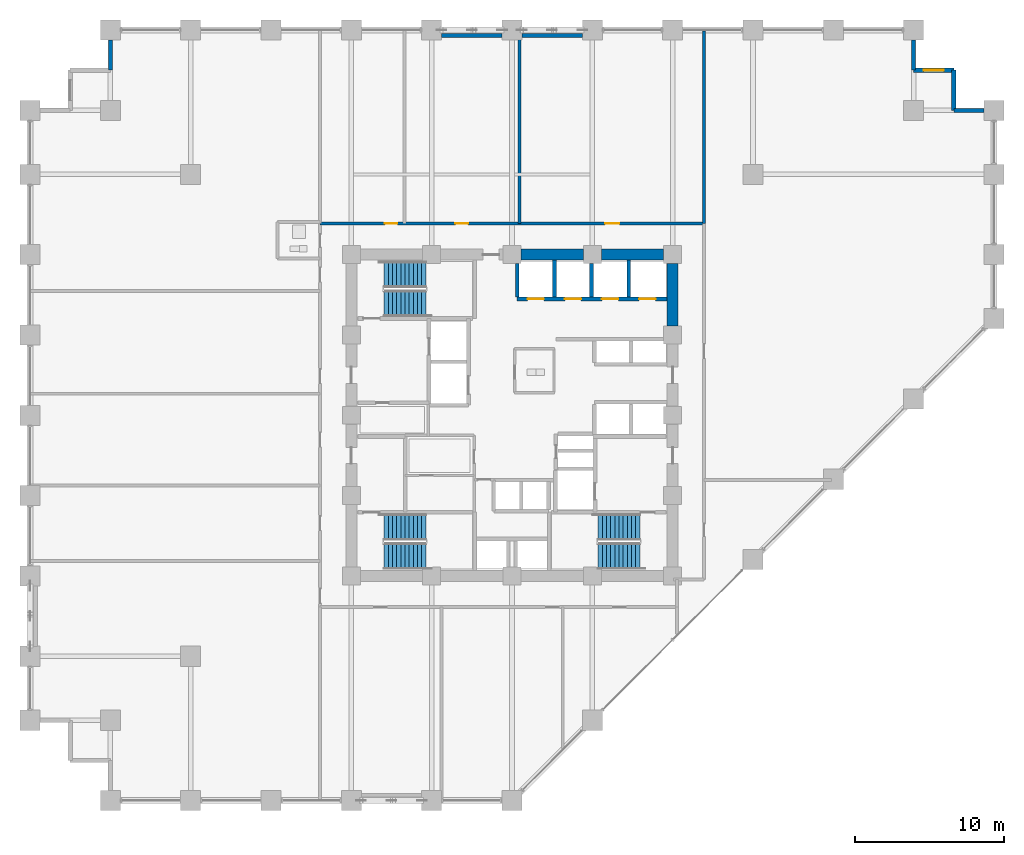
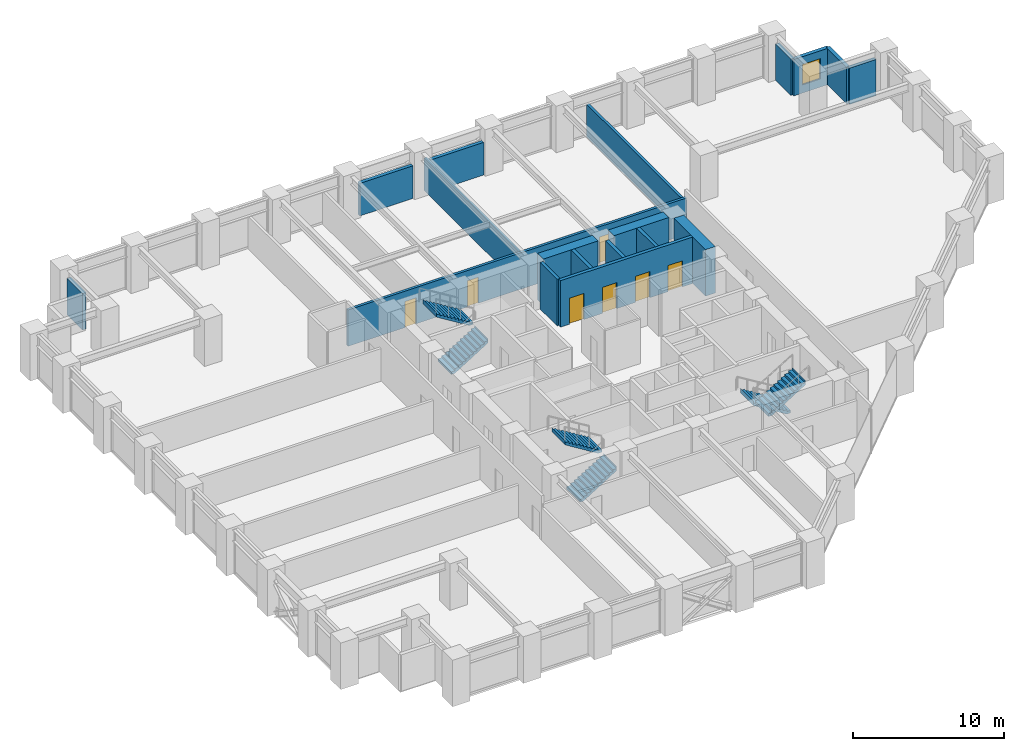
# One storey, part 22 of 24: 18 walls, 7 doors, 6 stair flights, 1 window, 8 openings, 3 elements without a shape of their own.
"""IFC4 building model written with IfcOpenShell, lengths in metres."""

from ifc_helpers import new_model, si_unit, direction, frame, frame_2d, origin, place, context, subcontext, project, spatial, polyline, rectangle, outline, extrude, material, layer, layer_set, type_object, element, fill, aggregate, save


model = new_model("IFC4")

# Units and contexts
model_context = context("Model", 3, precision=1e-05, world=origin(), true_north=direction((0.0, 1.0)))
body_context = subcontext(model_context, "Body", "Model", "MODEL_VIEW")
ifc_project = project(units=[si_unit("LENGTHUNIT", "METRE"), si_unit("AREAUNIT", "SQUARE_METRE"), si_unit("VOLUMEUNIT", "CUBIC_METRE"), si_unit("PLANEANGLEUNIT", "RADIAN"), si_unit("MASSUNIT", "GRAM", prefix="KILO")], contexts=[model_context])

# Site, building, storey
site_placement = place(None, origin())
site = spatial("IfcSite", under=ifc_project, at=site_placement, CompositionType="ELEMENT")
building_placement = place(site_placement, origin())
building = spatial("IfcBuilding", under=site, at=building_placement, Name="Surkhivell Harbour Commons", CompositionType="ELEMENT")
storey_placement = place(building_placement, frame((0.0, 0.0, 30.0)))
storey = spatial("IfcBuildingStorey", under=building, at=storey_placement, Name="L07", CompositionType="ELEMENT", Elevation=30.0)

# Walls
ifc_material_1 = material(Name="Concrete C60/75", Category="concrete")
ifc_layer_1 = layer(ifc_material_1, 0.75)
ifc_layer_set_1 = layer_set([ifc_layer_1], Name="Concrete C60/75")
wall_type_1 = type_object("IfcWallType", Name="WAL-CORE-750", PredefinedType="SHEAR", material=ifc_layer_set_1)
for number, where, z_axis, x_axis, name in (
    (1, (0.610107421875, 10.800048828125, 0.0), (0.0, 0.0, 1.0), (1.0, 0.0, 0.0), "L07 Core Shear Wall North 3"),
    (2, (6.010009765625, 10.800048828125, 0.0), (0.0, 0.0, 1.0), (1.0, 0.0, 0.0), "L07 Core Shear Wall North 4"),
    (3, (10.800048828125, 6.010009765625, 0.0), (0.0, 0.0, 1.0), (0.0, 1.0, 0.0), "L07 Core Shear Wall East 4"),
):
    element("IfcWall", number, at=place(storey_placement, frame(where, z_axis=z_axis, x_axis=x_axis)), inside=storey, type_object=wall_type_1, Name=name, PredefinedType="SHEAR", context=body_context, shape_type="SweptSolid", body=[
        extrude(rectangle(XDim=4.179931640625, YDim=0.75, at=frame_2d((2.08984375, 0.0))), origin(), (0.0, 0.0, 1.0), 3.75),
    ])
ifc_material_2 = material(Name="Pale-metal insulated precast concrete C45/55", Category="concrete")
ifc_layer_2 = layer(ifc_material_2, 0.260009765625)
ifc_layer_set_2 = layer_set([ifc_layer_2], Name="Pale-metal insulated precast concrete C45/55")
wall_type_2 = type_object("IfcWallType", Name="WAL-EXT-MTL260", PredefinedType="STANDARD", material=ifc_layer_set_2)
for number, where, z_axis, x_axis, name in (
    (4, (-0.673095703125, 25.5400390625, 0.0), (0.0, 0.0, 1.0), (-1.0, 0.0, 0.0), "L07 Braced-Bay Insulated Spandrel Backing N"),
    (5, (4.72705078125, 25.5400390625, 0.0), (0.0, 0.0, 1.0), (-1.0, 0.0, 0.0), "L07 Braced-Bay Insulated Spandrel Backing N2"),
):
    element("IfcWall", number, at=place(storey_placement, frame(where, z_axis=z_axis, x_axis=x_axis)), inside=storey, type_object=wall_type_2, Name=name, PredefinedType="STANDARD", context=body_context, shape_type="SweptSolid", body=[
        extrude(rectangle(XDim=4.053955078125, YDim=0.260009765625, at=frame_2d((2.02685546875, 0.0))), origin(), (0.0, 0.0, 1.0), 2.62890625),
    ])
ifc_material_3 = material(Name="Terracotta-clad reinforced concrete C45/55", Category="masonry")
ifc_layer_3 = layer(ifc_material_3, 0.280029296875)
ifc_layer_set_3 = layer_set([ifc_layer_3], Name="Terracotta-clad reinforced concrete C45/55")
wall_type_3 = type_object("IfcWallType", Name="WAL-EXT-TER280", PredefinedType="STANDARD", material=ifc_layer_set_3)
wall_1_placement = place(storey_placement, frame((31.72705078125, 20.5, 0.0), z_axis=(0.0, 0.0, 1.0), x_axis=(-1.0, 0.0, 0.0)))
element("IfcWall", 6, at=wall_1_placement, inside=storey, type_object=wall_type_3, Name="L07 Serrated Corner Facade Wall 03", PredefinedType="STANDARD", context=body_context, shape_type="SweptSolid", body=[
    extrude(rectangle(XDim=2.027099609375, YDim=0.280029296875, at=frame_2d((1.013671875, 0.0))), origin(), (0.0, 0.0, 1.0), 2.929931640625),
])
wall_2_placement = place(storey_placement, frame((29.699951171875, 20.5, 0.0), z_axis=(0.0, 0.0, 1.0), x_axis=(0.0, 1.0, 0.0)))
element("IfcWall", 7, at=wall_2_placement, inside=storey, type_object=wall_type_3, Name="L07 Serrated Corner Facade Wall 04", PredefinedType="STANDARD", context=body_context, shape_type="SweptSolid", body=[
    extrude(rectangle(XDim=2.699951171875, YDim=0.280029296875, at=frame_2d((1.35009765625, 0.0))), origin(), (0.0, 0.0, 1.0), 2.929931640625),
])

# Wall, opening, window
wall_3_placement = place(storey_placement, frame((29.699951171875, 23.199951171875, 0.0), z_axis=(0.0, 0.0, 1.0), x_axis=(-1.0, 0.0, 0.0)))
wall_3 = element("IfcWall", 8, at=wall_3_placement, inside=storey, type_object=wall_type_3, Name="L07 Serrated Corner Facade Wall 05", PredefinedType="STANDARD", context=body_context, shape_type="SweptSolid", body=[
    extrude(rectangle(XDim=2.699951171875, YDim=0.280029296875, at=frame_2d((1.35009765625, 0.0))), origin(), (0.0, 0.0, 1.0), 2.929931640625),
])
opening_1_placement = place(wall_3_placement, frame((0.675048828125, 0.0, 0.64990234375)))
opening_1 = element("IfcOpeningElement", 9, at=opening_1_placement, cuts=wall_3, Name="Opening WN-08", PredefinedType="OPENING", context=body_context, shape_type="SweptSolid", body=[
    extrude(rectangle(XDim=1.35009765625, YDim=1.64990234375, at=frame_2d((0.675048828125, 0.824951171875))), frame((0.0, 0.14990234375, 0.0), z_axis=(0.0, -1.0, 0.0), x_axis=(1.0, 0.0, 0.0)), (0.0, 0.0, 1.0), 0.300048828125),
])
ifc_material_4 = material(Name="Thermal-break aluminium frame and double low-E glazing", Category="aluminium")
window_type = type_object("IfcWindowType", Name="WIN-SER-1350x1650", PartitioningType="SINGLE_PANEL", PredefinedType="WINDOW", material=ifc_material_4)
window_placement = place(opening_1_placement, origin())
window = element("IfcWindow", 10, at=window_placement, inside=storey, type_object=window_type, Name="L07 Serrated Alcove Window 05", OverallHeight=1.64990234375, OverallWidth=1.35009765625, PartitioningType="SINGLE_PANEL", PredefinedType="WINDOW", context=body_context, shape_type="SweptSolid", body=[
    extrude(rectangle(XDim=1.35009765625, YDim=1.64990234375, at=frame_2d((0.675048828125, 0.824951171875))), frame((0.0, 0.030029296875, 0.0), z_axis=(0.0, -1.0, 0.0), x_axis=(1.0, 0.0, 0.0)), (0.0, 0.0, 1.0), 0.06005859375),
])
fill(opening_1, window)

# Walls
for number, where, z_axis, x_axis, name in (
    (11, (27.0, 23.199951171875, 0.0), (0.0, 0.0, 1.0), (0.0, 1.0, 0.0), "L07 Serrated Corner Facade Wall 06"),
    (12, (-27.0, 25.22705078125, 0.0), (0.0, 0.0, 1.0), (0.0, -1.0, 0.0), "L07 Serrated Corner Facade Wall 08"),
):
    element("IfcWall", number, at=place(storey_placement, frame(where, z_axis=z_axis, x_axis=x_axis)), inside=storey, type_object=wall_type_3, Name=name, PredefinedType="STANDARD", context=body_context, shape_type="SweptSolid", body=[
        extrude(rectangle(XDim=2.027099609375, YDim=0.280029296875, at=frame_2d((1.013671875, 0.0))), origin(), (0.0, 0.0, 1.0), 2.929931640625),
    ])
ifc_material_5 = material(Name="Autoclaved aerated concrete blockwork and fire plaster", Category="masonry")
ifc_layer_4 = layer(ifc_material_5, 0.199951171875)
ifc_layer_set_4 = layer_set([ifc_layer_4], Name="Autoclaved aerated concrete blockwork and fire plaster")
wall_type_4 = type_object("IfcWallType", Name="WAL-INT-200", PredefinedType="PARTITIONING", material=ifc_layer_set_4)
wall_4_placement = place(storey_placement, frame((12.89990234375, 12.89990234375, 0.0), z_axis=(0.0, 0.0, 1.0), x_axis=(0.0, 1.0, 0.0)))
element("IfcWall", 13, at=wall_4_placement, inside=storey, type_object=wall_type_4, Name="L07 North-East Wing Corner Divider", PredefinedType="PARTITIONING", context=body_context, shape_type="SweptSolid", body=[
    extrude(rectangle(XDim=12.940185546875, YDim=0.199951171875, at=frame_2d((6.47021484375, 0.0))), origin(), (0.0, 0.0, 1.0), 2.62890625),
])

# Wall, openings, doors
wall_5_placement = place(storey_placement, frame((-12.89990234375, 12.89990234375, 0.0), z_axis=(0.0, 0.0, 1.0), x_axis=(1.0, 0.0, 0.0)))
wall_5 = element("IfcWall", 14, at=wall_5_placement, inside=storey, type_object=wall_type_4, Name="L07 Corridor North Wall", PredefinedType="PARTITIONING", context=body_context, shape_type="SweptSolid", body=[
    extrude(rectangle(XDim=25.7998046875, YDim=0.199951171875, at=frame_2d((12.89990234375, 0.0))), origin(), (0.0, 0.0, 1.0), 2.929931640625),
])
opening_2_placement = place(wall_5_placement, frame((4.3466796875, 0.0, 0.0)))
opening_2 = element("IfcOpeningElement", 15, at=opening_2_placement, cuts=wall_5, Name="Opening ID-6", PredefinedType="OPENING", context=body_context, shape_type="SweptSolid", body=[
    extrude(rectangle(XDim=0.85009765625, YDim=2.10009765625, at=frame_2d((0.425048828125, 1.050048828125))), frame((0.0, 0.10986328125, 0.0), z_axis=(0.0, -1.0, 0.0), x_axis=(1.0, 0.0, 0.0)), (0.0, 0.0, 1.0), 0.219970703125),
])
opening_3_placement = place(wall_5_placement, frame((9.10009765625, 0.0, 0.0)))
opening_3 = element("IfcOpeningElement", 16, at=opening_3_placement, cuts=wall_5, Name="Opening ID-6", PredefinedType="OPENING", context=body_context, shape_type="SweptSolid", body=[
    extrude(rectangle(XDim=0.85009765625, YDim=2.10009765625, at=frame_2d((0.425048828125, 1.050048828125))), frame((0.0, 0.10986328125, 0.0), z_axis=(0.0, -1.0, 0.0), x_axis=(1.0, 0.0, 0.0)), (0.0, 0.0, 1.0), 0.219970703125),
])
opening_4_placement = place(wall_5_placement, frame((19.159912109375, 0.0, 0.0)))
opening_4 = element("IfcOpeningElement", 17, at=opening_4_placement, cuts=wall_5, Name="Opening ID-4", PredefinedType="OPENING", context=body_context, shape_type="SweptSolid", body=[
    extrude(rectangle(XDim=0.949951171875, YDim=2.10009765625, at=frame_2d((0.47509765625, 1.050048828125))), frame((0.0, 0.10986328125, 0.0), z_axis=(0.0, -1.0, 0.0), x_axis=(1.0, 0.0, 0.0)), (0.0, 0.0, 1.0), 0.219970703125),
])
ifc_material_6 = material(Name="Hardwood-veneered fire-rated door leaf", Category="wood")
door_type_1 = type_object("IfcDoorType", Name="DOR-FD30-850", OperationType="NOTDEFINED", PredefinedType="DOOR", material=ifc_material_6)
door_1_placement = place(opening_2_placement, origin())
door_1 = element("IfcDoor", 18, at=door_1_placement, inside=storey, type_object=door_type_1, Name="L07 Co-Working Study Office 1 North Door", OperationType="SINGLE_SWING_RIGHT", OverallHeight=2.10009765625, OverallWidth=0.85009765625, PredefinedType="DOOR", context=body_context, shape_type="SweptSolid", body=[
    extrude(rectangle(XDim=0.85009765625, YDim=2.10009765625, at=frame_2d((0.425048828125, 1.050048828125))), frame((0.0, 0.02490234375, 0.0), z_axis=(0.0, -1.0, 0.0), x_axis=(1.0, 0.0, 0.0)), (0.0, 0.0, 1.0), 0.050048828125),
])
fill(opening_2, door_1)
door_2_placement = place(opening_3_placement, origin())
door_2 = element("IfcDoor", 19, at=door_2_placement, inside=storey, type_object=door_type_1, Name="L07 Co-Working Study Office 2 North Door", OperationType="SINGLE_SWING_LEFT", OverallHeight=2.10009765625, OverallWidth=0.85009765625, PredefinedType="DOOR", context=body_context, shape_type="SweptSolid", body=[
    extrude(rectangle(XDim=0.85009765625, YDim=2.10009765625, at=frame_2d((0.425048828125, 1.050048828125))), frame((0.0, 0.02490234375, 0.0), z_axis=(0.0, -1.0, 0.0), x_axis=(1.0, 0.0, 0.0)), (0.0, 0.0, 1.0), 0.050048828125),
])
fill(opening_3, door_2)
door_type_2 = type_object("IfcDoorType", Name="DOR-FD60-950", OperationType="NOTDEFINED", PredefinedType="DOOR", material=ifc_material_6)
door_3_placement = place(opening_4_placement, origin())
door_3 = element("IfcDoor", 20, at=door_3_placement, inside=storey, type_object=door_type_2, Name="L07 Co-Working Study Office 3 North Door", OperationType="SINGLE_SWING_RIGHT", OverallHeight=2.10009765625, OverallWidth=0.949951171875, PredefinedType="DOOR", context=body_context, shape_type="SweptSolid", body=[
    extrude(rectangle(XDim=0.949951171875, YDim=2.10009765625, at=frame_2d((0.47509765625, 1.050048828125))), frame((0.0, 0.02490234375, 0.0), z_axis=(0.0, -1.0, 0.0), x_axis=(1.0, 0.0, 0.0)), (0.0, 0.0, 1.0), 0.050048828125),
])
fill(opening_4, door_3)

# Walls
wall_6_placement = place(storey_placement, frame((0.52001953125, 12.89990234375, 0.0), z_axis=(0.0, 0.0, 1.0), x_axis=(0.0, 1.0, 0.0)))
element("IfcWall", 21, at=wall_6_placement, inside=storey, type_object=wall_type_4, Name="L07 North Partition P2", PredefinedType="PARTITIONING", context=body_context, shape_type="SweptSolid", body=[
    extrude(rectangle(XDim=12.940185546875, YDim=0.199951171875, at=frame_2d((6.47021484375, 0.0))), origin(), (0.0, 0.0, 1.0), 2.62890625),
])
ifc_material_7 = material(Name="Concrete C50/60", Category="concrete")
ifc_layer_5 = layer(ifc_material_7, 0.25)
ifc_layer_set_5 = layer_set([ifc_layer_5], Name="Concrete C50/60")
wall_type_5 = type_object("IfcWallType", Name="WAL-SHAFT-250", PredefinedType="SHEAR", material=ifc_layer_set_5)
wall_7_placement = place(storey_placement, frame((2.85009765625, 7.93994140625, 0.0), z_axis=(0.0, 0.0, 1.0), x_axis=(0.0, 1.0, 0.0)))
element("IfcWall", 22, at=wall_7_placement, inside=storey, type_object=wall_type_5, Name="L07 Low-Rise Hoistway Wall", PredefinedType="SHEAR", context=body_context, shape_type="SweptSolid", body=[
    extrude(rectangle(XDim=2.485107421875, YDim=0.25, at=frame_2d((1.24267578125, 0.0))), origin(), (0.0, 0.0, 1.0), 3.75),
])
for number, where, z_axis, x_axis, name in (
    (23, (0.35009765625, 7.93994140625, 0.0), (0.0, 0.0, 1.0), (0.0, 1.0, 0.0), "L07 Low-Rise Hoistway Wall"),
    (24, (5.35009765625, 7.93994140625, 0.0), (0.0, 0.0, 1.0), (0.0, 1.0, 0.0), "L07 Low-Rise Hoistway Wall"),
):
    element("IfcWall", number, at=place(storey_placement, frame(where, z_axis=z_axis, x_axis=x_axis)), inside=storey, type_object=wall_type_5, Name=name, PredefinedType="SHEAR", context=body_context, shape_type="SweptSolid", body=[
        extrude(rectangle(XDim=2.260009765625, YDim=0.25, at=frame_2d((1.1298828125, 0.0))), origin(), (0.0, 0.0, 1.0), 3.75),
    ])
wall_8_placement = place(storey_placement, frame((7.85009765625, 7.93994140625, 0.0), z_axis=(0.0, 0.0, 1.0), x_axis=(0.0, 1.0, 0.0)))
element("IfcWall", 25, at=wall_8_placement, inside=storey, type_object=wall_type_5, Name="L07 Low-Rise Hoistway Wall", PredefinedType="SHEAR", context=body_context, shape_type="SweptSolid", body=[
    extrude(rectangle(XDim=2.485107421875, YDim=0.25, at=frame_2d((1.24267578125, 0.0))), origin(), (0.0, 0.0, 1.0), 3.75),
])

# Wall, openings, doors
wall_9_placement = place(storey_placement, frame((0.35009765625, 7.820068359375, 0.0), z_axis=(0.0, 0.0, 1.0), x_axis=(1.0, 0.0, 0.0)))
wall_9 = element("IfcWall", 26, at=wall_9_placement, inside=storey, type_object=wall_type_5, Name="L07 Low-Rise Lift Front Shaft Wall", PredefinedType="SHEAR", context=body_context, shape_type="SweptSolid", body=[
    extrude(rectangle(XDim=10.074951171875, YDim=0.25, at=frame_2d((5.03759765625, 0.0))), origin(), (0.0, 0.0, 1.0), 3.75),
])
opening_5_placement = place(wall_9_placement, frame((0.699951171875, 0.0, 0.0)))
opening_5 = element("IfcOpeningElement", 27, at=opening_5_placement, cuts=wall_9, Name="Opening LD-1", PredefinedType="OPENING", context=body_context, shape_type="SweptSolid", body=[
    extrude(rectangle(XDim=1.10009765625, YDim=2.10009765625, at=frame_2d((0.550048828125, 1.050048828125))), frame((0.0, 0.135009765625, 0.0), z_axis=(0.0, -1.0, 0.0), x_axis=(1.0, 0.0, 0.0)), (0.0, 0.0, 1.0), 0.27001953125),
])
opening_6_placement = place(wall_9_placement, frame((3.199951171875, 0.0, 0.0)))
opening_6 = element("IfcOpeningElement", 28, at=opening_6_placement, cuts=wall_9, Name="Opening LD-1", PredefinedType="OPENING", context=body_context, shape_type="SweptSolid", body=[
    extrude(rectangle(XDim=1.10009765625, YDim=2.10009765625, at=frame_2d((0.550048828125, 1.050048828125))), frame((0.0, 0.135009765625, 0.0), z_axis=(0.0, -1.0, 0.0), x_axis=(1.0, 0.0, 0.0)), (0.0, 0.0, 1.0), 0.27001953125),
])
opening_7_placement = place(wall_9_placement, frame((5.699951171875, 0.0, 0.0)))
opening_7 = element("IfcOpeningElement", 29, at=opening_7_placement, cuts=wall_9, Name="Opening LD-1", PredefinedType="OPENING", context=body_context, shape_type="SweptSolid", body=[
    extrude(rectangle(XDim=1.10009765625, YDim=2.10009765625, at=frame_2d((0.550048828125, 1.050048828125))), frame((0.0, 0.135009765625, 0.0), z_axis=(0.0, -1.0, 0.0), x_axis=(1.0, 0.0, 0.0)), (0.0, 0.0, 1.0), 0.27001953125),
])
opening_8_placement = place(wall_9_placement, frame((8.199951171875, 0.0, 0.0)))
opening_8 = element("IfcOpeningElement", 30, at=opening_8_placement, cuts=wall_9, Name="Opening LD-1", PredefinedType="OPENING", context=body_context, shape_type="SweptSolid", body=[
    extrude(rectangle(XDim=1.10009765625, YDim=2.10009765625, at=frame_2d((0.550048828125, 1.050048828125))), frame((0.0, 0.135009765625, 0.0), z_axis=(0.0, -1.0, 0.0), x_axis=(1.0, 0.0, 0.0)), (0.0, 0.0, 1.0), 0.27001953125),
])
ifc_material_8 = material(Name="Brushed stainless steel S355", Category="steel")
door_type_3 = type_object("IfcDoorType", Name="DOR-LD-1100", OperationType="SLIDING_TO_LEFT", PredefinedType="DOOR", material=ifc_material_8)
door_4_placement = place(opening_5_placement, origin())
door_4 = element("IfcDoor", 31, at=door_4_placement, inside=storey, type_object=door_type_3, Name="L07 Lift Landing Door LD-PL1", OperationType="SLIDING_TO_LEFT", OverallHeight=2.10009765625, OverallWidth=1.10009765625, PredefinedType="DOOR", context=body_context, shape_type="SweptSolid", body=[
    extrude(rectangle(XDim=1.10009765625, YDim=2.10009765625, at=frame_2d((0.550048828125, 1.050048828125))), frame((0.0, 0.02490234375, 0.0), z_axis=(0.0, -1.0, 0.0), x_axis=(1.0, 0.0, 0.0)), (0.0, 0.0, 1.0), 0.050048828125),
])
fill(opening_5, door_4)
door_5_placement = place(opening_6_placement, origin())
door_5 = element("IfcDoor", 32, at=door_5_placement, inside=storey, type_object=door_type_3, Name="L07 Lift Landing Door LD-PL2", OperationType="SLIDING_TO_LEFT", OverallHeight=2.10009765625, OverallWidth=1.10009765625, PredefinedType="DOOR", context=body_context, shape_type="SweptSolid", body=[
    extrude(rectangle(XDim=1.10009765625, YDim=2.10009765625, at=frame_2d((0.550048828125, 1.050048828125))), frame((0.0, 0.02490234375, 0.0), z_axis=(0.0, -1.0, 0.0), x_axis=(1.0, 0.0, 0.0)), (0.0, 0.0, 1.0), 0.050048828125),
])
fill(opening_6, door_5)
door_6_placement = place(opening_7_placement, origin())
door_6 = element("IfcDoor", 33, at=door_6_placement, inside=storey, type_object=door_type_3, Name="L07 Lift Landing Door LD-PL3", OperationType="SLIDING_TO_LEFT", OverallHeight=2.10009765625, OverallWidth=1.10009765625, PredefinedType="DOOR", context=body_context, shape_type="SweptSolid", body=[
    extrude(rectangle(XDim=1.10009765625, YDim=2.10009765625, at=frame_2d((0.550048828125, 1.050048828125))), frame((0.0, 0.02490234375, 0.0), z_axis=(0.0, -1.0, 0.0), x_axis=(1.0, 0.0, 0.0)), (0.0, 0.0, 1.0), 0.050048828125),
])
fill(opening_7, door_6)
door_7_placement = place(opening_8_placement, origin())
door_7 = element("IfcDoor", 34, at=door_7_placement, inside=storey, type_object=door_type_3, Name="L07 Lift Landing Door LD-PL4", OperationType="SLIDING_TO_LEFT", OverallHeight=2.10009765625, OverallWidth=1.10009765625, PredefinedType="DOOR", context=body_context, shape_type="SweptSolid", body=[
    extrude(rectangle(XDim=1.10009765625, YDim=2.10009765625, at=frame_2d((0.550048828125, 1.050048828125))), frame((0.0, 0.02490234375, 0.0), z_axis=(0.0, -1.0, 0.0), x_axis=(1.0, 0.0, 0.0)), (0.0, 0.0, 1.0), 0.050048828125),
])
fill(opening_8, door_7)

# Stair, stair flights
ifc_material_9 = material(Name="Precast concrete C45/55", Category="concrete")
stair_type = type_object("IfcStairType", Name="STR-DL-375", PredefinedType="HALF_TURN_STAIR", material=ifc_material_9)
stair_1_placement = place(storey_placement, origin())
stair_1 = element("IfcStair", 35, at=stair_1_placement, inside=storey, type_object=stair_type, Name="L07 Core Exit Stair ST1", PredefinedType="HALF_TURN_STAIR")
stair_flight_type = type_object("IfcStairFlightType", Name="STF-DL-375", PredefinedType="STRAIGHT", material=ifc_material_9)
stair_flight_1_placement = place(storey_placement, frame((-8.590087890625, 7.514892578125, 0.0), z_axis=(0.0, 0.0, 1.0), x_axis=(1.0, 0.0, 0.0)))
stair_flight_1 = element("IfcStairFlight", 36, at=stair_flight_1_placement, type_object=stair_flight_type, Name="ST1 flight 1", NumberOfRisers=11, NumberOfTreads=10, PredefinedType="STRAIGHT", RiserHeight=0.170454545, TreadLength=0.28, context=body_context, shape_type="SweptSolid", body=[
    extrude(outline(polyline([(-0.0029296875, -0.034912109375), (-0.0029296875, 0.0), (0.0, 0.0), (0.0, 0.17041015625), (0.280029296875, 0.17041015625), (0.280029296875, 0.3408203125), (0.56005859375, 0.3408203125), (0.56005859375, 0.511474609375), (0.840087890625, 0.511474609375), (0.840087890625, 0.681884765625), (1.1201171875, 0.681884765625), (1.1201171875, 0.852294921875), (1.39990234375, 0.852294921875), (1.39990234375, 1.022705078125), (1.679931640625, 1.022705078125), (1.679931640625, 1.193115234375), (1.9599609375, 1.193115234375), (1.9599609375, 1.363525390625), (2.239990234375, 1.363525390625), (2.239990234375, 1.5341796875), (2.52001953125, 1.5341796875), (2.52001953125, 1.70458984375), (2.800048828125, 1.70458984375), (2.800048828125, 1.875), (2.802978515625, 1.875), (2.802978515625, 1.529052734375), (0.288330078125, -0.034912109375), (-0.0029296875, -0.034912109375)])), frame((0.0, 0.875, 0.0), z_axis=(0.0, -1.0, 0.0), x_axis=(1.0, 0.0, 0.0)), (0.0, 0.0, 1.0), 1.75),
])
stair_flight_2_placement = place(storey_placement, frame((-5.7900390625, 9.465087890625, 1.875), z_axis=(0.0, 0.0, 1.0), x_axis=(-1.0, 0.0, 0.0)))
stair_flight_2 = element("IfcStairFlight", 37, at=stair_flight_2_placement, type_object=stair_flight_type, Name="ST1 flight 2", NumberOfRisers=11, NumberOfTreads=10, PredefinedType="STRAIGHT", RiserHeight=0.170454545, TreadLength=0.28, context=body_context, shape_type="SweptSolid", body=[
    extrude(outline(polyline([(-0.0029296875, -0.034912109375), (-0.0029296875, 0.0), (0.0, 0.0), (0.0, 0.17041015625), (0.280029296875, 0.17041015625), (0.280029296875, 0.3408203125), (0.56005859375, 0.3408203125), (0.56005859375, 0.511474609375), (0.840087890625, 0.511474609375), (0.840087890625, 0.681884765625), (1.1201171875, 0.681884765625), (1.1201171875, 0.852294921875), (1.39990234375, 0.852294921875), (1.39990234375, 1.022705078125), (1.679931640625, 1.022705078125), (1.679931640625, 1.193115234375), (1.9599609375, 1.193115234375), (1.9599609375, 1.363525390625), (2.239990234375, 1.363525390625), (2.239990234375, 1.5341796875), (2.52001953125, 1.5341796875), (2.52001953125, 1.70458984375), (2.800048828125, 1.70458984375), (2.800048828125, 1.875), (2.802978515625, 1.875), (2.802978515625, 1.529052734375), (0.288330078125, -0.034912109375), (-0.0029296875, -0.034912109375)])), frame((0.0, 0.875, 0.0), z_axis=(0.0, -1.0, 0.0), x_axis=(1.0, 0.0, 0.0)), (0.0, 0.0, 1.0), 1.75),
])
aggregate(stair_1, [stair_flight_1, stair_flight_2])

stair_2_placement = place(storey_placement, origin())
stair_2 = element("IfcStair", 38, at=stair_2_placement, inside=storey, type_object=stair_type, Name="L07 Core Exit Stair ST2", PredefinedType="HALF_TURN_STAIR")
stair_flight_3_placement = place(storey_placement, frame((8.590087890625, -7.514892578125, 0.0), z_axis=(0.0, 0.0, 1.0), x_axis=(-1.0, 0.0, 0.0)))
stair_flight_3 = element("IfcStairFlight", 39, at=stair_flight_3_placement, type_object=stair_flight_type, Name="ST2 flight 1", NumberOfRisers=11, NumberOfTreads=10, PredefinedType="STRAIGHT", RiserHeight=0.170454545, TreadLength=0.28, context=body_context, shape_type="SweptSolid", body=[
    extrude(outline(polyline([(-0.0029296875, -0.034912109375), (-0.0029296875, 0.0), (0.0, 0.0), (0.0, 0.17041015625), (0.280029296875, 0.17041015625), (0.280029296875, 0.3408203125), (0.56005859375, 0.3408203125), (0.56005859375, 0.511474609375), (0.840087890625, 0.511474609375), (0.840087890625, 0.681884765625), (1.1201171875, 0.681884765625), (1.1201171875, 0.852294921875), (1.39990234375, 0.852294921875), (1.39990234375, 1.022705078125), (1.679931640625, 1.022705078125), (1.679931640625, 1.193115234375), (1.9599609375, 1.193115234375), (1.9599609375, 1.363525390625), (2.239990234375, 1.363525390625), (2.239990234375, 1.5341796875), (2.52001953125, 1.5341796875), (2.52001953125, 1.70458984375), (2.800048828125, 1.70458984375), (2.800048828125, 1.875), (2.802978515625, 1.875), (2.802978515625, 1.529052734375), (0.288330078125, -0.034912109375), (-0.0029296875, -0.034912109375)])), frame((0.0, 0.875, 0.0), z_axis=(0.0, -1.0, 0.0), x_axis=(1.0, 0.0, 0.0)), (0.0, 0.0, 1.0), 1.75),
])
stair_flight_4_placement = place(storey_placement, frame((5.7900390625, -9.465087890625, 1.875), z_axis=(0.0, 0.0, 1.0), x_axis=(1.0, 0.0, 0.0)))
stair_flight_4 = element("IfcStairFlight", 40, at=stair_flight_4_placement, type_object=stair_flight_type, Name="ST2 flight 2", NumberOfRisers=11, NumberOfTreads=10, PredefinedType="STRAIGHT", RiserHeight=0.170454545, TreadLength=0.28, context=body_context, shape_type="SweptSolid", body=[
    extrude(outline(polyline([(-0.0029296875, -0.034912109375), (-0.0029296875, 0.0), (0.0, 0.0), (0.0, 0.17041015625), (0.280029296875, 0.17041015625), (0.280029296875, 0.3408203125), (0.56005859375, 0.3408203125), (0.56005859375, 0.511474609375), (0.840087890625, 0.511474609375), (0.840087890625, 0.681884765625), (1.1201171875, 0.681884765625), (1.1201171875, 0.852294921875), (1.39990234375, 0.852294921875), (1.39990234375, 1.022705078125), (1.679931640625, 1.022705078125), (1.679931640625, 1.193115234375), (1.9599609375, 1.193115234375), (1.9599609375, 1.363525390625), (2.239990234375, 1.363525390625), (2.239990234375, 1.5341796875), (2.52001953125, 1.5341796875), (2.52001953125, 1.70458984375), (2.800048828125, 1.70458984375), (2.800048828125, 1.875), (2.802978515625, 1.875), (2.802978515625, 1.529052734375), (0.288330078125, -0.034912109375), (-0.0029296875, -0.034912109375)])), frame((0.0, 0.875, 0.0), z_axis=(0.0, -1.0, 0.0), x_axis=(1.0, 0.0, 0.0)), (0.0, 0.0, 1.0), 1.75),
])
aggregate(stair_2, [stair_flight_3, stair_flight_4])

stair_3_placement = place(storey_placement, origin())
stair_3 = element("IfcStair", 41, at=stair_3_placement, inside=storey, type_object=stair_type, Name="L07 Core Exit Stair ST3", PredefinedType="HALF_TURN_STAIR")
stair_flight_5_placement = place(storey_placement, frame((-8.590087890625, -9.465087890625, 0.0), z_axis=(0.0, 0.0, 1.0), x_axis=(1.0, 0.0, 0.0)))
stair_flight_5 = element("IfcStairFlight", 42, at=stair_flight_5_placement, type_object=stair_flight_type, Name="ST3 flight 1", NumberOfRisers=11, NumberOfTreads=10, PredefinedType="STRAIGHT", RiserHeight=0.170454545, TreadLength=0.28, context=body_context, shape_type="SweptSolid", body=[
    extrude(outline(polyline([(-0.0029296875, -0.034912109375), (-0.0029296875, 0.0), (0.0, 0.0), (0.0, 0.17041015625), (0.280029296875, 0.17041015625), (0.280029296875, 0.3408203125), (0.56005859375, 0.3408203125), (0.56005859375, 0.511474609375), (0.840087890625, 0.511474609375), (0.840087890625, 0.681884765625), (1.1201171875, 0.681884765625), (1.1201171875, 0.852294921875), (1.39990234375, 0.852294921875), (1.39990234375, 1.022705078125), (1.679931640625, 1.022705078125), (1.679931640625, 1.193115234375), (1.9599609375, 1.193115234375), (1.9599609375, 1.363525390625), (2.239990234375, 1.363525390625), (2.239990234375, 1.5341796875), (2.52001953125, 1.5341796875), (2.52001953125, 1.70458984375), (2.800048828125, 1.70458984375), (2.800048828125, 1.875), (2.802978515625, 1.875), (2.802978515625, 1.529052734375), (0.288330078125, -0.034912109375), (-0.0029296875, -0.034912109375)])), frame((0.0, 0.875, 0.0), z_axis=(0.0, -1.0, 0.0), x_axis=(1.0, 0.0, 0.0)), (0.0, 0.0, 1.0), 1.75),
])
stair_flight_6_placement = place(storey_placement, frame((-5.7900390625, -7.514892578125, 1.875), z_axis=(0.0, 0.0, 1.0), x_axis=(-1.0, 0.0, 0.0)))
stair_flight_6 = element("IfcStairFlight", 43, at=stair_flight_6_placement, type_object=stair_flight_type, Name="ST3 flight 2", NumberOfRisers=11, NumberOfTreads=10, PredefinedType="STRAIGHT", RiserHeight=0.170454545, TreadLength=0.28, context=body_context, shape_type="SweptSolid", body=[
    extrude(outline(polyline([(-0.0029296875, -0.034912109375), (-0.0029296875, 0.0), (0.0, 0.0), (0.0, 0.17041015625), (0.280029296875, 0.17041015625), (0.280029296875, 0.3408203125), (0.56005859375, 0.3408203125), (0.56005859375, 0.511474609375), (0.840087890625, 0.511474609375), (0.840087890625, 0.681884765625), (1.1201171875, 0.681884765625), (1.1201171875, 0.852294921875), (1.39990234375, 0.852294921875), (1.39990234375, 1.022705078125), (1.679931640625, 1.022705078125), (1.679931640625, 1.193115234375), (1.9599609375, 1.193115234375), (1.9599609375, 1.363525390625), (2.239990234375, 1.363525390625), (2.239990234375, 1.5341796875), (2.52001953125, 1.5341796875), (2.52001953125, 1.70458984375), (2.800048828125, 1.70458984375), (2.800048828125, 1.875), (2.802978515625, 1.875), (2.802978515625, 1.529052734375), (0.288330078125, -0.034912109375), (-0.0029296875, -0.034912109375)])), frame((0.0, 0.875, 0.0), z_axis=(0.0, -1.0, 0.0), x_axis=(1.0, 0.0, 0.0)), (0.0, 0.0, 1.0), 1.75),
])
aggregate(stair_3, [stair_flight_5, stair_flight_6])

save(model, "model.ifc")
